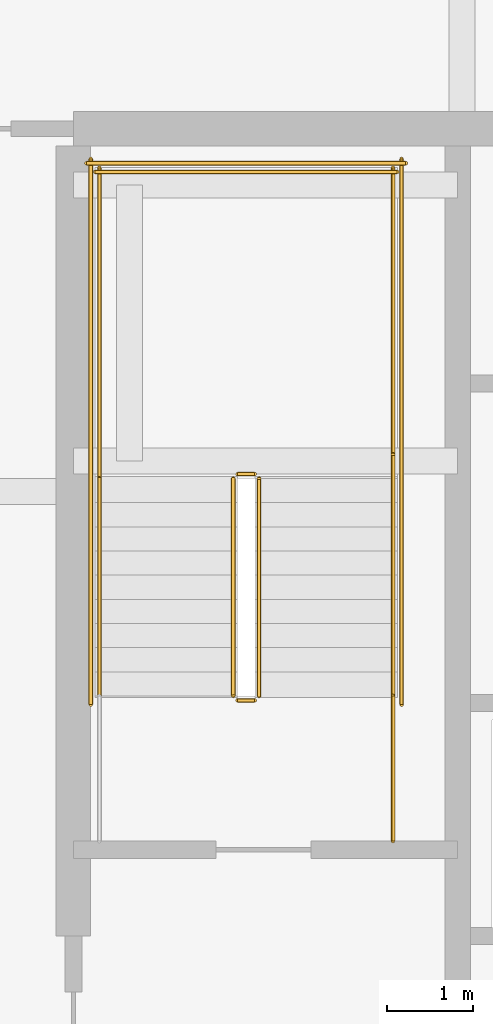
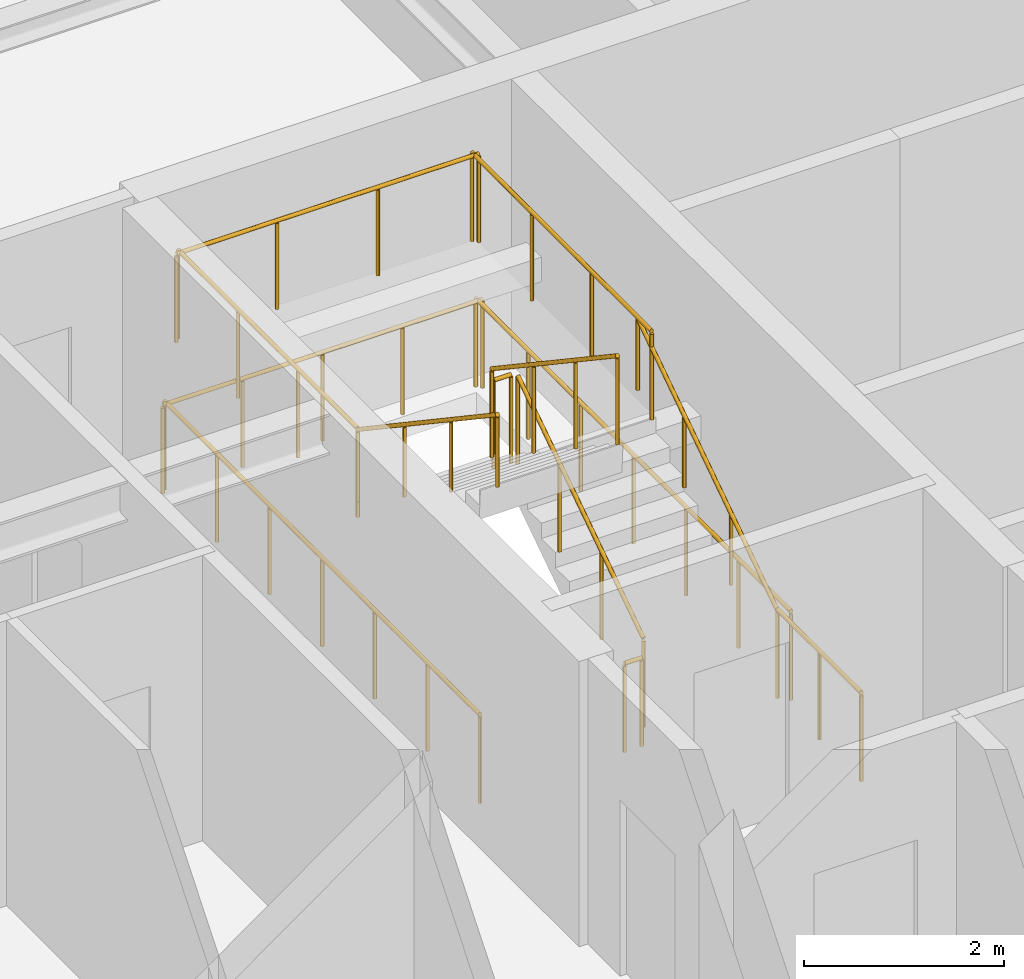
# One storey, part 30 of 33: 13 railings.
"""IFC4 building model written with IfcOpenShell, lengths in metres."""

from ifc_helpers import new_model, si_unit, direction, frame, origin, origin_2d, place, context, subcontext, project, spatial, circle, extrude, material, type_object, element, save


model = new_model("IFC4")

# Units and contexts
model_context = context("Model", 3, precision=1e-05, world=origin(), true_north=direction((0.0, 1.0)))
body_context = subcontext(model_context, "Body", "Model", "MODEL_VIEW")
ifc_project = project(units=[si_unit("LENGTHUNIT", "METRE"), si_unit("AREAUNIT", "SQUARE_METRE"), si_unit("VOLUMEUNIT", "CUBIC_METRE"), si_unit("PLANEANGLEUNIT", "RADIAN"), si_unit("MASSUNIT", "GRAM", prefix="KILO")], contexts=[model_context])

# Site, building, storey
site_placement = place(None, origin())
site = spatial("IfcSite", under=ifc_project, at=site_placement, CompositionType="ELEMENT")
building_placement = place(site_placement, origin())
building = spatial("IfcBuilding", under=site, at=building_placement, Name="Serunith Strait Residences", CompositionType="ELEMENT")
storey_placement = place(building_placement, frame((0.0, 0.0, 165.14990234375)))
storey = spatial("IfcBuildingStorey", under=building, at=storey_placement, Name="L41", CompositionType="ELEMENT", Elevation=165.14990234375)

# Railings
ifc_material = material(Name="Brushed stainless steel 316L", Category="steel")
railing_type_1 = type_object("IfcRailingType", Name="RLG-STAIR-GUARD", PredefinedType="BALUSTRADE", material=ifc_material)
railing_1_placement = place(storey_placement, frame((25.550048828125, 27.030029296875, 0.1875)))
element("IfcRailing", 1, at=railing_1_placement, inside=storey, type_object=railing_type_1, Name="L41 ST-1 stair guard 1", PredefinedType="BALUSTRADE", context=body_context, shape_type="SweptSolid", body=[
    extrude(circle(Radius=0.02392578125, at=origin_2d()), frame((0.0, 0.001708984375, 1.0771484375), z_axis=(0.0, 0.830909170722, 0.55640807867), x_axis=(-1.0, 0.0, 0.0)), (0.0, 0.0, 1.0), 3.02880859375),
    extrude(circle(Radius=0.02099609375, at=origin_2d()), origin(), (0.0, 0.0, 1.0), 1.050048828125),
    extrude(circle(Radius=0.02099609375, at=origin_2d()), frame((0.0, 0.840087890625, 0.5625)), (0.0, 0.0, 1.0), 1.050048828125),
    extrude(circle(Radius=0.02099609375, at=origin_2d()), frame((0.0, 1.679931640625, 1.125)), (0.0, 0.0, 1.0), 1.050048828125),
    extrude(circle(Radius=0.02099609375, at=origin_2d()), frame((0.0, 2.52001953125, 1.6875)), (0.0, 0.0, 1.0), 1.050048828125),
])
railing_2_placement = place(storey_placement, frame((25.5, 29.60009765625, 1.875)))
element("IfcRailing", 2, at=railing_2_placement, inside=storey, type_object=railing_type_1, Name="L41 ST-1 stair guard 2", PredefinedType="BALUSTRADE", context=body_context, shape_type="SweptSolid", body=[
    extrude(circle(Radius=0.02392578125, at=origin_2d()), frame((-0.001953125, 0.0, 1.076171875), z_axis=(-1.0, 0.0, 0.0), x_axis=(0.0, -1.0, 0.0)), (0.0, 0.0, 1.0), 0.196044921875),
    extrude(circle(Radius=0.02099609375, at=origin_2d()), origin(), (0.0, 0.0, 1.0), 1.050048828125),
    extrude(circle(Radius=0.02099609375, at=origin_2d()), frame((-0.199951171875, 0.0, 0.0)), (0.0, 0.0, 1.0), 1.050048828125),
])
for number, where, name in (
    (3, (27.10009765625, 29.550048828125, 1.875), "L41 ST-1 stair guard 3"),
    (4, (23.699951171875, 29.550048828125, 1.875), "L41 ST-1 stair guard 4"),
):
    element("IfcRailing", number, at=place(storey_placement, frame(where)), inside=storey, type_object=railing_type_1, Name=name, PredefinedType="BALUSTRADE", context=body_context, shape_type="SweptSolid", body=[
        extrude(circle(Radius=0.02392578125, at=origin_2d()), frame((0.0, 0.001953125, 1.076171875), z_axis=(0.0, 1.0, 0.0), x_axis=(-1.0, 0.0, 0.0)), (0.0, 0.0, 1.0), 3.595947265625),
        extrude(circle(Radius=0.02099609375, at=origin_2d()), origin(), (0.0, 0.0, 1.0), 1.050048828125),
        extrude(circle(Radius=0.02099609375, at=origin_2d()), frame((0.0, 1.199951171875, 0.0)), (0.0, 0.0, 1.0), 1.050048828125),
        extrude(circle(Radius=0.02099609375, at=origin_2d()), frame((0.0, 2.39990234375, 0.0)), (0.0, 0.0, 1.0), 1.050048828125),
        extrude(circle(Radius=0.02099609375, at=origin_2d()), frame((0.0, 3.599853515625, 0.0)), (0.0, 0.0, 1.0), 1.050048828125),
    ])
railing_3_placement = place(storey_placement, frame((27.14990234375, 33.10009765625, 1.875)))
element("IfcRailing", 5, at=railing_3_placement, inside=storey, type_object=railing_type_1, Name="L41 ST-1 stair guard 5", PredefinedType="BALUSTRADE", context=body_context, shape_type="SweptSolid", body=[
    extrude(circle(Radius=0.02392578125, at=origin_2d()), frame((-0.001953125, 0.0, 1.076171875), z_axis=(-1.0, 0.0, 0.0), x_axis=(0.0, -1.0, 0.0)), (0.0, 0.0, 1.0), 3.49609375),
    extrude(circle(Radius=0.02099609375, at=origin_2d()), origin(), (0.0, 0.0, 1.0), 1.050048828125),
    extrude(circle(Radius=0.02099609375, at=origin_2d()), frame((-1.166748046875, 0.0, 0.0)), (0.0, 0.0, 1.0), 1.050048828125),
    extrude(circle(Radius=0.02099609375, at=origin_2d()), frame((-2.333251953125, 0.0, 0.0)), (0.0, 0.0, 1.0), 1.050048828125),
    extrude(circle(Radius=0.02099609375, at=origin_2d()), frame((-3.5, 0.0, 0.0)), (0.0, 0.0, 1.0), 1.050048828125),
])
railing_4_placement = place(storey_placement, frame((25.25, 29.550048828125, 2.0625)))
element("IfcRailing", 6, at=railing_4_placement, inside=storey, type_object=railing_type_1, Name="L41 ST-1 stair guard 6", PredefinedType="BALUSTRADE", context=body_context, shape_type="SweptSolid", body=[
    extrude(circle(Radius=0.02392578125, at=origin_2d()), frame((0.0, -0.001708984375, 1.0771484375), z_axis=(0.0, -0.830909170722, 0.55640807867), x_axis=(1.0, 0.0, 0.0)), (0.0, 0.0, 1.0), 3.02880859375),
    extrude(circle(Radius=0.02099609375, at=origin_2d()), origin(), (0.0, 0.0, 1.0), 1.050048828125),
    extrude(circle(Radius=0.02099609375, at=origin_2d()), frame((0.0, -0.840087890625, 0.5625)), (0.0, 0.0, 1.0), 1.050048828125),
    extrude(circle(Radius=0.02099609375, at=origin_2d()), frame((0.0, -1.679931640625, 1.125)), (0.0, 0.0, 1.0), 1.050048828125),
    extrude(circle(Radius=0.02099609375, at=origin_2d()), frame((0.0, -2.52001953125, 1.6875)), (0.0, 0.0, 1.0), 1.050048828125),
])
railing_5_placement = place(storey_placement, frame((25.5, 26.97998046875, 0.0)))
element("IfcRailing", 7, at=railing_5_placement, inside=storey, type_object=railing_type_1, Name="L41 ST-1 stair guard 7", PredefinedType="BALUSTRADE", context=body_context, shape_type="SweptSolid", body=[
    extrude(circle(Radius=0.02392578125, at=origin_2d()), frame((-0.001953125, 0.0, 1.076171875), z_axis=(-1.0, 0.0, 0.0), x_axis=(0.0, -1.0, 0.0)), (0.0, 0.0, 1.0), 0.196044921875),
    extrude(circle(Radius=0.02099609375, at=origin_2d()), origin(), (0.0, 0.0, 1.0), 1.050048828125),
    extrude(circle(Radius=0.02099609375, at=origin_2d()), frame((-0.199951171875, 0.0, 0.0)), (0.0, 0.0, 1.0), 1.050048828125),
])
railing_6_placement = place(storey_placement, frame((27.10009765625, 25.35009765625, 0.0)))
element("IfcRailing", 8, at=railing_6_placement, inside=storey, type_object=railing_type_1, Name="L41 ST-1 stair guard 8", PredefinedType="BALUSTRADE", context=body_context, shape_type="SweptSolid", body=[
    extrude(circle(Radius=0.02392578125, at=origin_2d()), frame((0.0, 0.001953125, 1.076171875), z_axis=(0.0, 1.0, 0.0), x_axis=(-1.0, 0.0, 0.0)), (0.0, 0.0, 1.0), 1.676025390625),
    extrude(circle(Radius=0.02099609375, at=origin_2d()), origin(), (0.0, 0.0, 1.0), 1.050048828125),
    extrude(circle(Radius=0.02099609375, at=origin_2d()), frame((0.0, 0.83984375, 0.0)), (0.0, 0.0, 1.0), 1.050048828125),
    extrude(circle(Radius=0.02099609375, at=origin_2d()), frame((0.0, 1.679931640625, 0.0)), (0.0, 0.0, 1.0), 1.050048828125),
])
for number, where, name in (
    (9, (27.199951171875, 26.929931640625, 0.0), "L41 ST-1 stair guard 10"),
    (10, (23.60009765625, 26.929931640625, 0.0), "L41 ST-1 stair guard 11"),
):
    element("IfcRailing", number, at=place(storey_placement, frame(where)), inside=storey, type_object=railing_type_1, Name=name, PredefinedType="BALUSTRADE", context=body_context, shape_type="SweptSolid", body=[
        extrude(circle(Radius=0.02392578125, at=origin_2d()), frame((0.0, 0.001953125, 1.076171875), z_axis=(0.0, 1.0, 0.0), x_axis=(-1.0, 0.0, 0.0)), (0.0, 0.0, 1.0), 6.316162109375),
        extrude(circle(Radius=0.02099609375, at=origin_2d()), origin(), (0.0, 0.0, 1.0), 1.050048828125),
        extrude(circle(Radius=0.02099609375, at=origin_2d()), frame((0.0, 1.05322265625, 0.0)), (0.0, 0.0, 1.0), 1.050048828125),
        extrude(circle(Radius=0.02099609375, at=origin_2d()), frame((0.0, 2.106689453125, 0.0)), (0.0, 0.0, 1.0), 1.050048828125),
        extrude(circle(Radius=0.02099609375, at=origin_2d()), frame((0.0, 3.16015625, 0.0)), (0.0, 0.0, 1.0), 1.050048828125),
        extrude(circle(Radius=0.02099609375, at=origin_2d()), frame((0.0, 4.21337890625, 0.0)), (0.0, 0.0, 1.0), 1.050048828125),
        extrude(circle(Radius=0.02099609375, at=origin_2d()), frame((0.0, 5.2666015625, 0.0)), (0.0, 0.0, 1.0), 1.050048828125),
        extrude(circle(Radius=0.02099609375, at=origin_2d()), frame((0.0, 6.320068359375, 0.0)), (0.0, 0.0, 1.0), 1.050048828125),
    ])
railing_7_placement = place(storey_placement, frame((27.25, 33.199951171875, 0.0)))
element("IfcRailing", 11, at=railing_7_placement, inside=storey, type_object=railing_type_1, Name="L41 ST-1 stair guard 12", PredefinedType="BALUSTRADE", context=body_context, shape_type="SweptSolid", body=[
    extrude(circle(Radius=0.02392578125, at=origin_2d()), frame((-0.001953125, 0.0, 1.076171875), z_axis=(-1.0, 0.0, 0.0), x_axis=(0.0, -1.0, 0.0)), (0.0, 0.0, 1.0), 3.696044921875),
    extrude(circle(Radius=0.02099609375, at=origin_2d()), origin(), (0.0, 0.0, 1.0), 1.050048828125),
    extrude(circle(Radius=0.02099609375, at=origin_2d()), frame((-0.925048828125, 0.0, 0.0)), (0.0, 0.0, 1.0), 1.050048828125),
    extrude(circle(Radius=0.02099609375, at=origin_2d()), frame((-1.85009765625, 0.0, 0.0)), (0.0, 0.0, 1.0), 1.050048828125),
    extrude(circle(Radius=0.02099609375, at=origin_2d()), frame((-2.77490234375, 0.0, 0.0)), (0.0, 0.0, 1.0), 1.050048828125),
    extrude(circle(Radius=0.02099609375, at=origin_2d()), frame((-3.699951171875, 0.0, 0.0)), (0.0, 0.0, 1.0), 1.050048828125),
])
railing_type_2 = type_object("IfcRailingType", Name="RLG-STAIR-HR", PredefinedType="HANDRAIL", material=ifc_material)
railing_8_placement = place(storey_placement, frame((27.10009765625, 27.030029296875, 0.1875)))
element("IfcRailing", 12, at=railing_8_placement, inside=storey, type_object=railing_type_2, Name="L41 ST-1 stair handrail 1", PredefinedType="HANDRAIL", context=body_context, shape_type="SweptSolid", body=[
    extrude(circle(Radius=0.02392578125, at=origin_2d()), frame((0.0, 0.001708984375, 0.876953125), z_axis=(0.0, 0.830208209119, 0.557453432594), x_axis=(-1.0, 0.0, 0.0)), (0.0, 0.0, 1.0), 3.36865234375),
    extrude(circle(Radius=0.02099609375, at=origin_2d()), origin(), (0.0, 0.0, 1.0), 0.849853515625),
    extrude(circle(Radius=0.02099609375, at=origin_2d()), frame((0.0, 0.933349609375, 0.626708984375)), (0.0, 0.0, 1.0), 0.849853515625),
    extrude(circle(Radius=0.02099609375, at=origin_2d()), frame((0.0, 1.86669921875, 1.25341796875)), (0.0, 0.0, 1.0), 0.849853515625),
    extrude(circle(Radius=0.02099609375, at=origin_2d()), frame((0.0, 2.800048828125, 1.880126953125)), (0.0, 0.0, 1.0), 0.849853515625),
])
railing_9_placement = place(storey_placement, frame((23.699951171875, 29.550048828125, 2.0625)))
element("IfcRailing", 13, at=railing_9_placement, inside=storey, type_object=railing_type_2, Name="L41 ST-1 stair handrail 2", PredefinedType="HANDRAIL", context=body_context, shape_type="SweptSolid", body=[
    extrude(circle(Radius=0.02392578125, at=origin_2d()), frame((0.0, -0.001708984375, 0.876953125), z_axis=(0.0, -0.830208209119, 0.557453432594), x_axis=(1.0, 0.0, 0.0)), (0.0, 0.0, 1.0), 3.36865234375),
    extrude(circle(Radius=0.02099609375, at=origin_2d()), origin(), (0.0, 0.0, 1.0), 0.849853515625),
    extrude(circle(Radius=0.02099609375, at=origin_2d()), frame((0.0, -0.933349609375, 0.626708984375)), (0.0, 0.0, 1.0), 0.849853515625),
    extrude(circle(Radius=0.02099609375, at=origin_2d()), frame((0.0, -1.86669921875, 1.25341796875)), (0.0, 0.0, 1.0), 0.849853515625),
    extrude(circle(Radius=0.02099609375, at=origin_2d()), frame((0.0, -2.800048828125, 1.880126953125)), (0.0, 0.0, 1.0), 0.849853515625),
])

save(model, "model.ifc")
